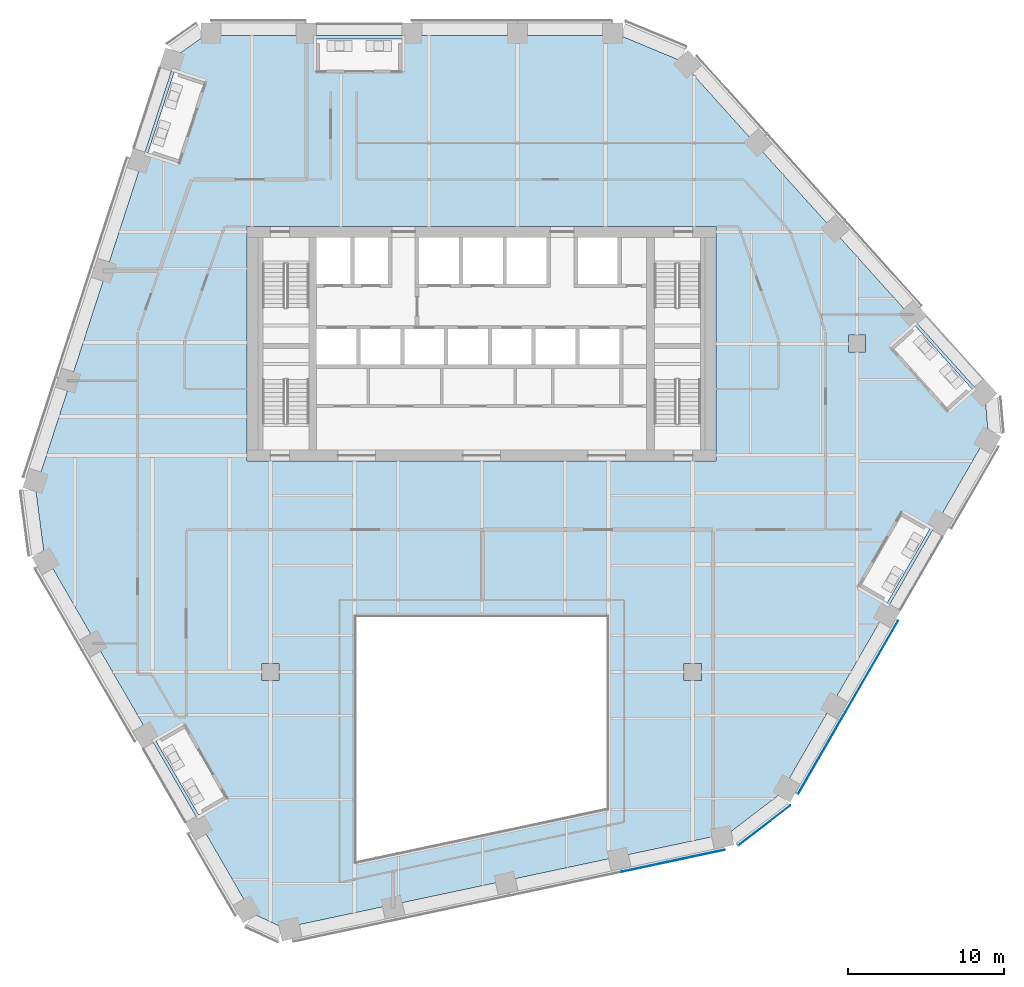
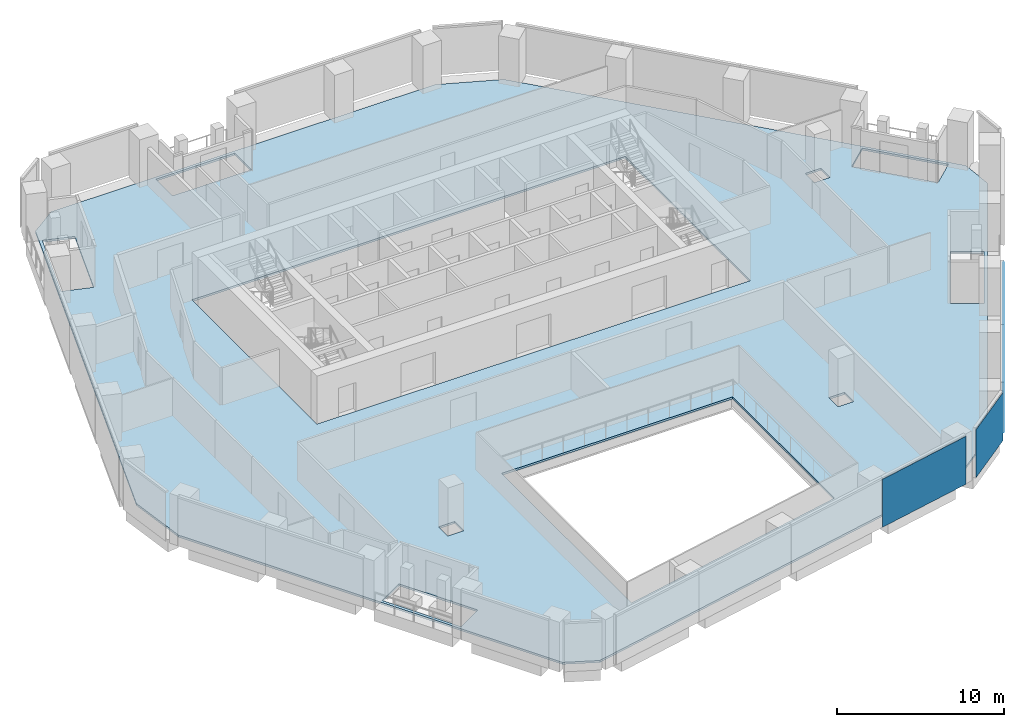
# One storey, part 14 of 26: 4 plates, 1 slab, 3 elements without a shape of their own.
"""IFC4 building model written with IfcOpenShell, lengths in metres."""

from ifc_helpers import new_model, si_unit, direction, frame, origin, origin_2d, place, context, subcontext, project, spatial, polyline, rectangle, outline, extrude, material, layer, layer_set, type_object, element, aggregate, save


model = new_model("IFC4")

# Units and contexts
model_context = context("Model", 3, precision=1e-05, world=origin(), true_north=direction((0.0, 1.0)))
body_context = subcontext(model_context, "Body", "Model", "MODEL_VIEW")
ifc_project = project(units=[si_unit("LENGTHUNIT", "METRE"), si_unit("AREAUNIT", "SQUARE_METRE"), si_unit("VOLUMEUNIT", "CUBIC_METRE"), si_unit("PLANEANGLEUNIT", "RADIAN"), si_unit("MASSUNIT", "GRAM", prefix="KILO")], contexts=[model_context])

# Site, building, storey
site_placement = place(None, origin())
site = spatial("IfcSite", under=ifc_project, at=site_placement, CompositionType="ELEMENT")
building_placement = place(site_placement, origin())
building = spatial("IfcBuilding", under=site, at=building_placement, Name="Isthmus Gate Tower", CompositionType="ELEMENT")
storey_placement = place(building_placement, frame((0.0, 0.0, 189.050048828125)))
storey = spatial("IfcBuildingStorey", under=building, at=storey_placement, Name="L47", CompositionType="ELEMENT", Elevation=189.050048828125)

# Slab
ifc_material_1 = material(Name="Concrete f'c 40 MPa", Category="concrete")
ifc_layer_1 = layer(ifc_material_1, 0.14990234375)
ifc_layer_set_1 = layer_set([ifc_layer_1], Name="COMPOSITE FLOOR SLAB 150")
slab_type = type_object("IfcSlabType", Name="COMPOSITE FLOOR SLAB 150", PredefinedType="FLOOR", material=ifc_layer_set_1)
slab_placement = place(storey_placement, frame((0.0, 0.0, -0.150146484375)))
element("IfcSlab", 1, at=slab_placement, inside=storey, type_object=slab_type, Name="str-slab-L47-1", PredefinedType="FLOOR", context=body_context, shape_type="SweptSolid", body=[
    extrude(outline(polyline([(12.72802734375, 25.599365234375), (32.21044921875, 3.9619140625), (32.410400390625, 1.736083984375), (19.116455078125, -21.289306640625), (15.8056640625, -23.822509765625), (-12.674072265625, -29.876220703125), (-14.701416015625, -28.936279296875), (-27.995361328125, -5.91064453125), (-28.53369140625, -1.77685546875), (-19.536376953125, 25.9140625), (-17.708740234375, 27.199951171875), (8.87890625, 27.199951171875), (12.72802734375, 25.599365234375)]), holes=[polyline([(-16.36962890625, -21.646728515625), (-19.0947265625, -16.927001953125), (-20.826904296875, -17.927001953125), (-18.101806640625, -22.646728515625), (-16.36962890625, -21.646728515625)]), polyline([(8.0, -10.0), (-8.0, -10.0), (-8.0, -25.611083984375), (8.0, -22.210205078125), (8.0, -10.0)]), polyline([(-12.949951171875, -12.949951171875), (-14.050048828125, -12.949951171875), (-14.050048828125, -14.050048828125), (-12.949951171875, -14.050048828125), (-12.949951171875, -12.949951171875)]), polyline([(12.949951171875, -14.050048828125), (14.050048828125, -14.050048828125), (14.050048828125, -12.949951171875), (12.949951171875, -12.949951171875), (12.949951171875, -14.050048828125)]), polyline([(28.66357421875, -4.353271484375), (26.931640625, -3.353271484375), (24.20654296875, -8.072998046875), (25.9384765625, -9.072998046875), (28.66357421875, -4.353271484375)]), polyline([(26.243408203125, 7.301025390625), (29.884033203125, 3.2578125), (31.370361328125, 4.59619140625), (27.729736328125, 8.639404296875), (26.243408203125, 7.301025390625)]), polyline([(-15.0, 15.0), (-15.0, 0.0), (15.0, 0.0), (15.0, 15.0), (-15.0, 15.0)]), polyline([(24.550048828125, 6.949951171875), (24.550048828125, 8.050048828125), (23.449951171875, 8.050048828125), (23.449951171875, 6.949951171875), (24.550048828125, 6.949951171875)]), polyline([(-21.3466796875, 19.695068359375), (-19.444580078125, 19.076904296875), (-17.763427734375, 24.25146484375), (-19.66552734375, 24.86962890625), (-21.3466796875, 19.695068359375)]), polyline([(-10.561767578125, 27.0), (-10.561767578125, 25.0), (-5.11181640625, 25.0), (-5.11181640625, 27.0), (-10.561767578125, 27.0)])]), origin(), (0.0, 0.0, 1.0), 0.150146484375),
])

# Curtain wall, plate
ifc_material_2 = material(Name="Aluminium, pale champagne anodised", Category="aluminium")
ifc_layer_2 = layer(ifc_material_2, 0.199951171875)
ifc_layer_set_2 = layer_set([ifc_layer_2], Name="CW-1 UNITISED CURTAIN WALL 200 DEEP")
curtain_wall_type = type_object("IfcCurtainWallType", Name="CW-1 UNITISED CURTAIN WALL 200 DEEP", PredefinedType="NOTDEFINED", material=ifc_layer_set_2)
curtain_wall_1_placement = place(storey_placement, origin())
curtain_wall_1 = element("IfcCurtainWall", 2, at=curtain_wall_1_placement, inside=storey, type_object=curtain_wall_type, Name="CW-1 S L47", PredefinedType="NOTDEFINED")
ifc_material_3 = material(Name="Laminated low-iron glass, pale blue tint", Category="glass")
ifc_layer_3 = layer(ifc_material_3, 0.035888671875)
ifc_layer_set_3 = layer_set([ifc_layer_3], Name="CW-1 CLEAR GLASS LITE 36")
plate_type = type_object("IfcPlateType", Name="CW-1 CLEAR GLASS LITE 36", PredefinedType="CURTAIN_PANEL", material=ifc_layer_set_3)
plate_1_placement = place(storey_placement, frame((12.25390625, -25.58154296875, 0.0), z_axis=(0.0, 0.0, 1.0), x_axis=(0.978147600734, 0.207911690818, 0.0)))
plate_1 = element("IfcPlate", 3, at=plate_1_placement, type_object=plate_type, Name="CW-1 glass lite", PredefinedType="CURTAIN_PANEL", context=body_context, shape_type="SweptSolid", body=[
    extrude(rectangle(XDim=6.74072265625, YDim=0.035888671875, at=origin_2d()), origin(), (0.0, 0.0, 1.0), 3.510009765625),
])
aggregate(curtain_wall_1, [plate_1])

curtain_wall_2_placement = place(storey_placement, origin())
curtain_wall_2 = element("IfcCurtainWall", 4, at=curtain_wall_2_placement, inside=storey, type_object=curtain_wall_type, Name="CW-1 S-SE L47", PredefinedType="NOTDEFINED")
plate_2_placement = place(storey_placement, frame((18.08056640625, -23.318359375, 0.0), z_axis=(0.0, 0.0, 1.0), x_axis=(0.794188594387, 0.607671355706, 0.0)))
plate_2 = element("IfcPlate", 5, at=plate_2_placement, type_object=plate_type, Name="CW-1 glass lite", PredefinedType="CURTAIN_PANEL", context=body_context, shape_type="SweptSolid", body=[
    extrude(rectangle(XDim=4.181396484375, YDim=0.035888671875, at=origin_2d()), origin(), (0.0, 0.0, 1.0), 3.510009765625),
])
aggregate(curtain_wall_2, [plate_2])

# Curtain wall, plates
curtain_wall_3_placement = place(storey_placement, origin())
curtain_wall_3 = element("IfcCurtainWall", 6, at=curtain_wall_3_placement, inside=storey, type_object=curtain_wall_type, Name="CW-1 SE L47", PredefinedType="NOTDEFINED")
plate_3_placement = place(storey_placement, frame((21.752197265625, -18.688232421875, 0.0), z_axis=(0.0, 0.0, 1.0), x_axis=(0.5, 0.866025403784, 0.0)))
plate_3 = element("IfcPlate", 7, at=plate_3_placement, type_object=plate_type, Name="CW-1 glass lite", PredefinedType="CURTAIN_PANEL", context=body_context, shape_type="SweptSolid", body=[
    extrude(rectangle(XDim=6.0400390625, YDim=0.035888671875, at=origin_2d()), origin(), (0.0, 0.0, 1.0), 3.510009765625),
])
plate_4_placement = place(storey_placement, frame((24.94970703125, -13.14990234375, 0.0), z_axis=(0.0, 0.0, 1.0), x_axis=(0.5, 0.866025403784, 0.0)))
plate_4 = element("IfcPlate", 8, at=plate_4_placement, type_object=plate_type, Name="CW-1 glass lite", PredefinedType="CURTAIN_PANEL", context=body_context, shape_type="SweptSolid", body=[
    extrude(rectangle(XDim=6.750244140625, YDim=0.035888671875, at=origin_2d()), origin(), (0.0, 0.0, 1.0), 3.510009765625),
])
aggregate(curtain_wall_3, [plate_3, plate_4])

save(model, "model.ifc")
